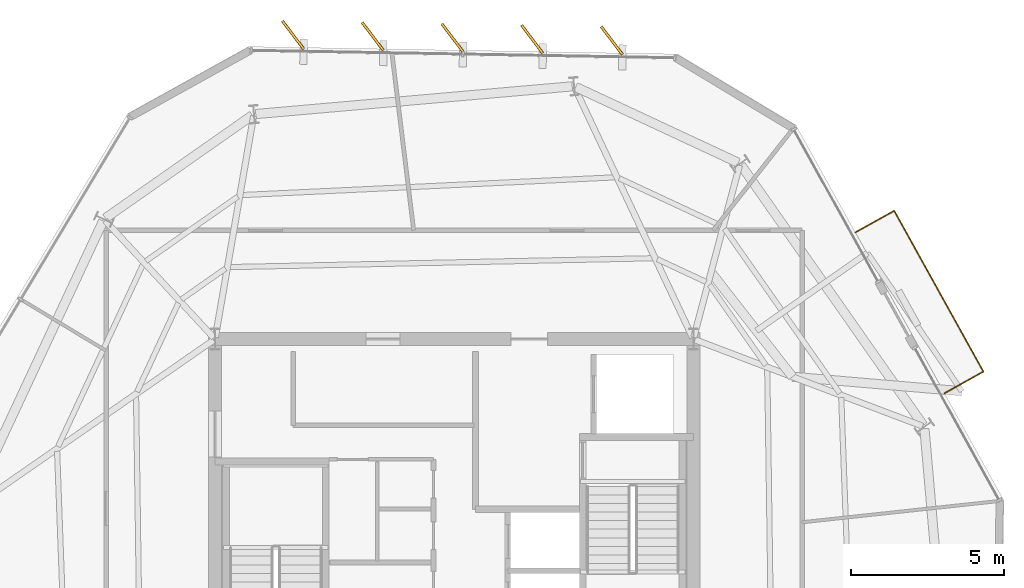
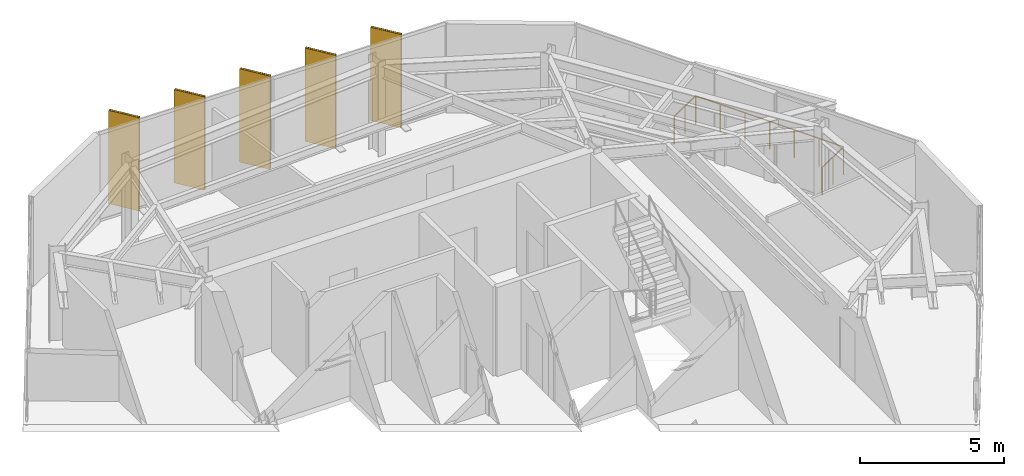
# One storey, part 10 of 10: 5 coverings, 5 shading devices, 1 railing.
"""IFC4 building model written with IfcOpenShell, lengths in metres."""

from ifc_helpers import new_model, si_unit, direction, frame, origin, origin_2d, place, context, subcontext, project, spatial, rectangle, circle, extrude, material, layer, layer_set, type_object, element, save


model = new_model("IFC4")

# Units and contexts
model_context = context("Model", 3, precision=1e-05, world=origin(), true_north=direction((0.0, 1.0)))
body_context = subcontext(model_context, "Body", "Model", "MODEL_VIEW")
ifc_project = project(units=[si_unit("LENGTHUNIT", "METRE"), si_unit("AREAUNIT", "SQUARE_METRE"), si_unit("VOLUMEUNIT", "CUBIC_METRE"), si_unit("PLANEANGLEUNIT", "RADIAN"), si_unit("MASSUNIT", "GRAM", prefix="KILO")], contexts=[model_context])

# Site, building, storey
site_placement = place(None, origin())
site = spatial("IfcSite", under=ifc_project, at=site_placement, CompositionType="ELEMENT")
building_placement = place(site_placement, origin())
building = spatial("IfcBuilding", under=site, at=building_placement, Name="Kranzbogen Civic Tower", CompositionType="ELEMENT")
storey_placement = place(building_placement, frame((0.0, 0.0, 262.199951171875)))
storey = spatial("IfcBuildingStorey", under=building, at=storey_placement, Name="L63", CompositionType="ELEMENT", Elevation=262.199951171875)

# Coverings
ifc_material_1 = material(Name="Pale Anodised Aluminium", Category="aluminium")
ifc_layer = layer(ifc_material_1, 0.02490234375, Name="Pale Anodised Aluminium")
ifc_layer_set = layer_set([ifc_layer], Name="Pale Anodised Aluminium")
covering_type = type_object("IfcCoveringType", Name="Anodised Aluminium Vertical Fin Cladding 25 mm", PredefinedType="CLADDING", material=ifc_layer_set)
for number, where, z_axis, x_axis, name in (
    (1, (30.14111328125, 41.93994140625, -0.139892578125), (0.0, 0.0, 1.0), (-0.603722919162, 0.797194227826, 0.0), "L63 vertical fin pale-metal cladding F1-1"),
    (2, (27.5419921875, 41.985107421875, -0.139892578125), (0.0, 0.0, 1.0), (-0.603722919162, 0.797194227826, 0.0), "L63 vertical fin pale-metal cladding F1-2"),
    (3, (24.94189453125, 42.031005859375, -0.139892578125), (0.0, 0.0, 1.0), (-0.603722919162, 0.797194227826, 0.0), "L63 vertical fin pale-metal cladding F1-3"),
    (4, (22.342041015625, 42.075927734375, -0.139892578125), (0.0, 0.0, 1.0), (-0.603722919162, 0.797194227826, 0.0), "L63 vertical fin pale-metal cladding F1-4"),
    (5, (19.742919921875, 42.1220703125, -0.139892578125), (0.0, 0.0, 1.0), (-0.603722919162, 0.797194227826, 0.0), "L63 vertical fin pale-metal cladding F1-5"),
):
    element("IfcCovering", number, at=place(storey_placement, frame(where, z_axis=z_axis, x_axis=x_axis)), inside=storey, type_object=covering_type, Name=name, PredefinedType="CLADDING", context=body_context, shape_type="SweptSolid", body=[
        extrude(rectangle(XDim=1.14990234375, YDim=0.094970703125, at=origin_2d()), origin(), (0.0, 0.0, 1.0), 3.9599609375),
    ])

# Railing
ifc_material_2 = material(Name="Anodised Bronze Aluminium", Category="aluminium")
railing_type = type_object("IfcRailingType", Name="Cantilevered Balcony Glass and Bronze Balustrade 1200", PredefinedType="BALUSTRADE", material=ifc_material_2)
railing_placement = place(storey_placement, frame((40.9951171875, 30.43603515625, 0.0)))
element("IfcRailing", 6, at=railing_placement, inside=storey, type_object=railing_type, Name="L63 exterior terrace balustrade L63-TB1", PredefinedType="BALUSTRADE", context=body_context, shape_type="SweptSolid", body=[
    extrude(circle(Radius=0.02392578125, at=origin_2d()), frame((0.0, 0.0, 1.17578125), z_axis=(0.87458592003, 0.484870568797, 0.0), x_axis=(-0.484870568797, 0.87458592003, 0.0)), (0.0, 0.0, 1.0), 1.44970703125),
    extrude(circle(Radius=0.02392578125, at=origin_2d()), frame((1.267822265625, 0.702880859375, 1.17578125), z_axis=(-0.484796318469, 0.874627080303, 0.0), x_axis=(-0.874627080303, -0.484796318469, 0.0)), (0.0, 0.0, 1.0), 6.000244140625),
    extrude(circle(Radius=0.02392578125, at=origin_2d()), frame((-1.64111328125, 5.950927734375, 1.17578125), z_axis=(-0.874625505869, -0.484799158914, 0.0), x_axis=(0.484799158914, -0.874625505869, 0.0)), (0.0, 0.0, 1.0), 1.449951171875),
    extrude(circle(Radius=0.02099609375, at=origin_2d()), origin(), (0.0, 0.0, 1.0), 1.15185546875),
    extrude(circle(Radius=0.02099609375, at=origin_2d()), frame((0.6337890625, 0.3515625, 0.0)), (0.0, 0.0, 1.0), 1.15185546875),
    extrude(circle(Radius=0.02099609375, at=origin_2d()), frame((1.267822265625, 0.702880859375, 0.0)), (0.0, 0.0, 1.0), 1.15185546875),
    extrude(circle(Radius=0.02099609375, at=origin_2d()), frame((0.782958984375, 1.57763671875, 0.0)), (0.0, 0.0, 1.0), 1.15185546875),
    extrude(circle(Radius=0.02099609375, at=origin_2d()), frame((0.298095703125, 2.4521484375, 0.0)), (0.0, 0.0, 1.0), 1.15185546875),
    extrude(circle(Radius=0.02099609375, at=origin_2d()), frame((-0.1865234375, 3.326904296875, 0.0)), (0.0, 0.0, 1.0), 1.15185546875),
    extrude(circle(Radius=0.02099609375, at=origin_2d()), frame((-0.67138671875, 4.20166015625, 0.0)), (0.0, 0.0, 1.0), 1.15185546875),
    extrude(circle(Radius=0.02099609375, at=origin_2d()), frame((-1.15625, 5.076171875, 0.0)), (0.0, 0.0, 1.0), 1.15185546875),
    extrude(circle(Radius=0.02099609375, at=origin_2d()), frame((-1.64111328125, 5.950927734375, 0.0)), (0.0, 0.0, 1.0), 1.15185546875),
    extrude(circle(Radius=0.02099609375, at=origin_2d()), frame((-2.275146484375, 5.599609375, 0.0)), (0.0, 0.0, 1.0), 1.15185546875),
    extrude(circle(Radius=0.02099609375, at=origin_2d()), frame((-2.9091796875, 5.248046875, 0.0)), (0.0, 0.0, 1.0), 1.15185546875),
])

# Shading devices
shading_device_type = type_object("IfcShadingDeviceType", Name="Pale Anodised Aluminium Crown Fin 1150x75", PredefinedType="USERDEFINED", material=ifc_material_1)
for number, where, z_axis, x_axis, name in (
    (7, (30.14111328125, 41.93994140625, -0.139892578125), (0.0, 0.0, 1.0), (-0.603722919162, 0.797194227826, 0.0), "L63 vertical exterior shading fin F1-1"),
    (8, (27.5419921875, 41.985107421875, -0.139892578125), (0.0, 0.0, 1.0), (-0.603722919162, 0.797194227826, 0.0), "L63 vertical exterior shading fin F1-2"),
    (9, (24.94189453125, 42.031005859375, -0.139892578125), (0.0, 0.0, 1.0), (-0.603722919162, 0.797194227826, 0.0), "L63 vertical exterior shading fin F1-3"),
    (10, (22.342041015625, 42.075927734375, -0.139892578125), (0.0, 0.0, 1.0), (-0.603722919162, 0.797194227826, 0.0), "L63 vertical exterior shading fin F1-4"),
    (11, (19.742919921875, 42.1220703125, -0.139892578125), (0.0, 0.0, 1.0), (-0.603722919162, 0.797194227826, 0.0), "L63 vertical exterior shading fin F1-5"),
):
    element("IfcShadingDevice", number, at=place(storey_placement, frame(where, z_axis=z_axis, x_axis=x_axis)), inside=storey, type_object=shading_device_type, Name=name, ObjectType="FIN", PredefinedType="USERDEFINED", context=body_context, shape_type="SweptSolid", body=[
        extrude(rectangle(XDim=1.14990234375, YDim=0.074951171875, at=origin_2d()), origin(), (0.0, 0.0, 1.0), 3.9599609375),
    ])

save(model, "model.ifc")
